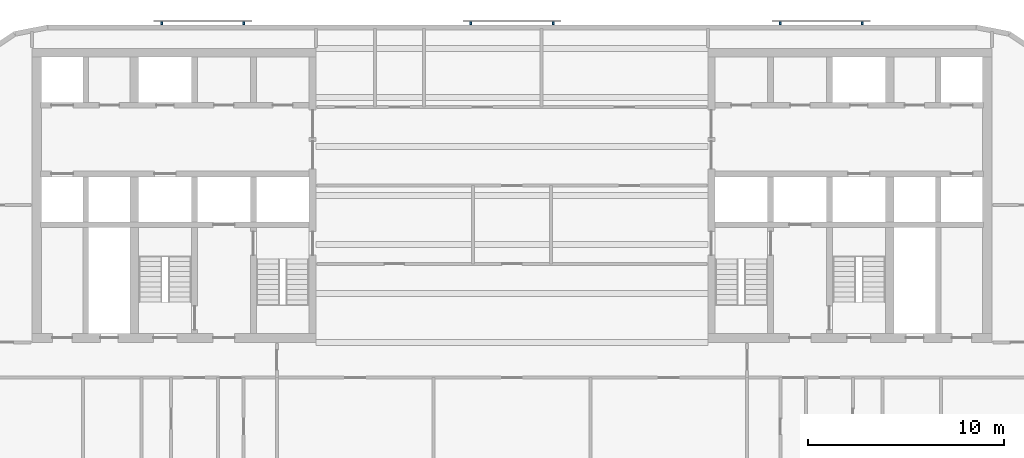
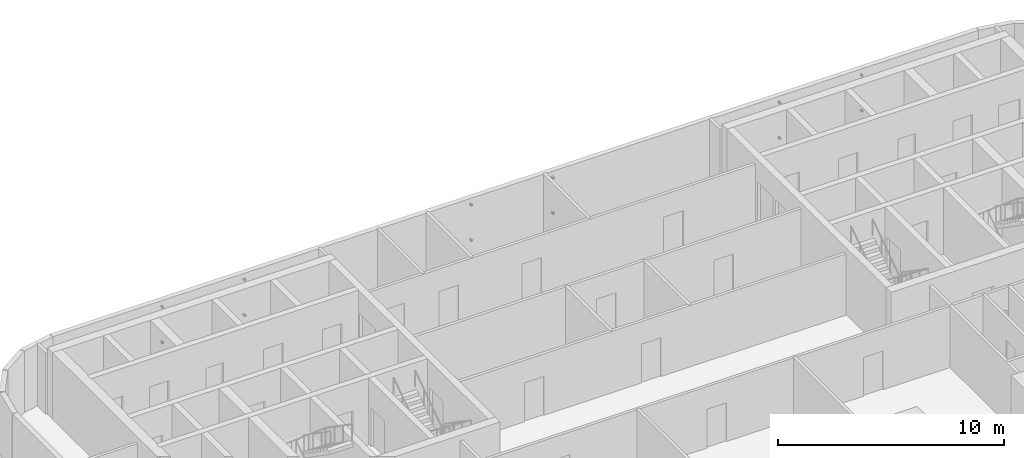
# One storey, part 8 of 11: 12 discrete accessories.
"""IFC4 building model written with IfcOpenShell, lengths in metres."""

from ifc_helpers import new_model, si_unit, direction, frame, origin, origin_2d, place, context, subcontext, project, spatial, rectangle, extrude, material, type_object, element, save


model = new_model("IFC4")

# Units and contexts
model_context = context("Model", 3, precision=1e-05, world=origin(), true_north=direction((0.0, 1.0)))
body_context = subcontext(model_context, "Body", "Model", "MODEL_VIEW")
ifc_project = project(units=[si_unit("LENGTHUNIT", "METRE"), si_unit("AREAUNIT", "SQUARE_METRE"), si_unit("VOLUMEUNIT", "CUBIC_METRE"), si_unit("PLANEANGLEUNIT", "RADIAN"), si_unit("MASSUNIT", "GRAM", prefix="KILO")], contexts=[model_context])

# Site, building, storey
site_placement = place(None, origin())
site = spatial("IfcSite", under=ifc_project, at=site_placement, CompositionType="ELEMENT")
building_placement = place(site_placement, origin())
building = spatial("IfcBuilding", under=site, at=building_placement, Name="Torana Hotel and Residences", CompositionType="ELEMENT")
storey_placement = place(building_placement, frame((0.0, 0.0, 148.800048828125)))
storey = spatial("IfcBuildingStorey", under=building, at=storey_placement, Name="L38", CompositionType="ELEMENT", Elevation=148.800048828125)

# Discrete accessories
ifc_material = material(Name="Steel S355", Category="steel")
discrete_accessory_type = type_object("IfcDiscreteAccessoryType", Name="SCREEN BRACKET 100", PredefinedType="BRACKET", material=ifc_material)
for number, where, z_axis, x_axis, name in (
    (1, (17.883544921875, 1.27490234375, 0.75), (0.0, 0.0, 1.0), (-1.0, 0.0, 0.0), "Screen bracket L38"),
    (2, (17.883544921875, 1.27490234375, 2.669921875), (0.0, 0.0, 1.0), (-1.0, 0.0, 0.0), "Screen bracket L38"),
    (3, (13.68359375, 1.27490234375, 0.75), (0.0, 0.0, 1.0), (-1.0, 0.0, 0.0), "Screen bracket L38"),
    (4, (13.68359375, 1.27490234375, 2.669921875), (0.0, 0.0, 1.0), (-1.0, 0.0, 0.0), "Screen bracket L38"),
    (5, (2.10009765625, 1.27490234375, 0.75), (0.0, 0.0, 1.0), (-1.0, 0.0, 0.0), "Screen bracket L38"),
    (6, (2.10009765625, 1.27490234375, 2.669921875), (0.0, 0.0, 1.0), (-1.0, 0.0, 0.0), "Screen bracket L38"),
    (7, (-2.10009765625, 1.27490234375, 0.75), (0.0, 0.0, 1.0), (-1.0, 0.0, 0.0), "Screen bracket L38"),
    (8, (-2.10009765625, 1.27490234375, 2.669921875), (0.0, 0.0, 1.0), (-1.0, 0.0, 0.0), "Screen bracket L38"),
    (9, (-13.68359375, 1.27490234375, 0.75), (0.0, 0.0, 1.0), (-1.0, 0.0, 0.0), "Screen bracket L38"),
    (10, (-13.68359375, 1.27490234375, 2.669921875), (0.0, 0.0, 1.0), (-1.0, 0.0, 0.0), "Screen bracket L38"),
    (11, (-17.883544921875, 1.27490234375, 0.75), (0.0, 0.0, 1.0), (-1.0, 0.0, 0.0), "Screen bracket L38"),
    (12, (-17.883544921875, 1.27490234375, 2.669921875), (0.0, 0.0, 1.0), (-1.0, 0.0, 0.0), "Screen bracket L38"),
):
    element("IfcDiscreteAccessory", number, at=place(storey_placement, frame(where, z_axis=z_axis, x_axis=x_axis)), inside=storey, type_object=discrete_accessory_type, Name=name, PredefinedType="BRACKET", context=body_context, shape_type="SweptSolid", body=[
        extrude(rectangle(XDim=0.10009765625, YDim=0.14990234375, at=origin_2d()), origin(), (0.0, 0.0, 1.0), 0.10009765625),
    ])

save(model, "model.ifc")
